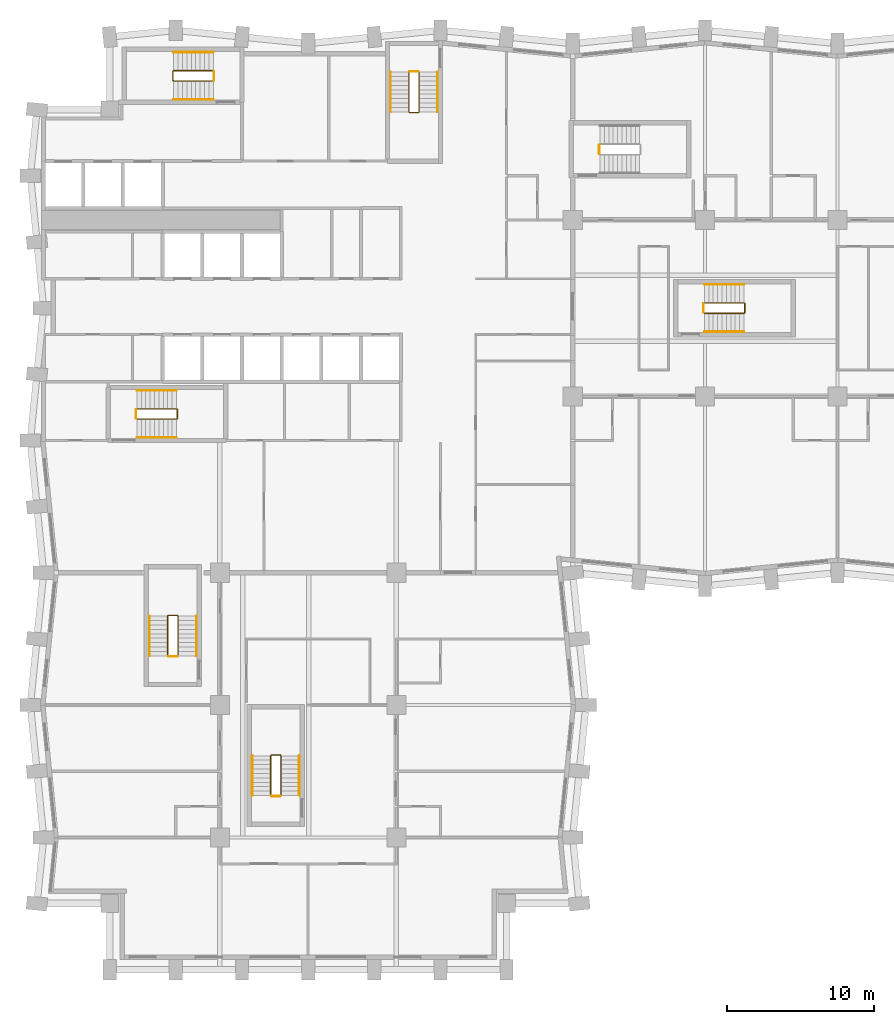
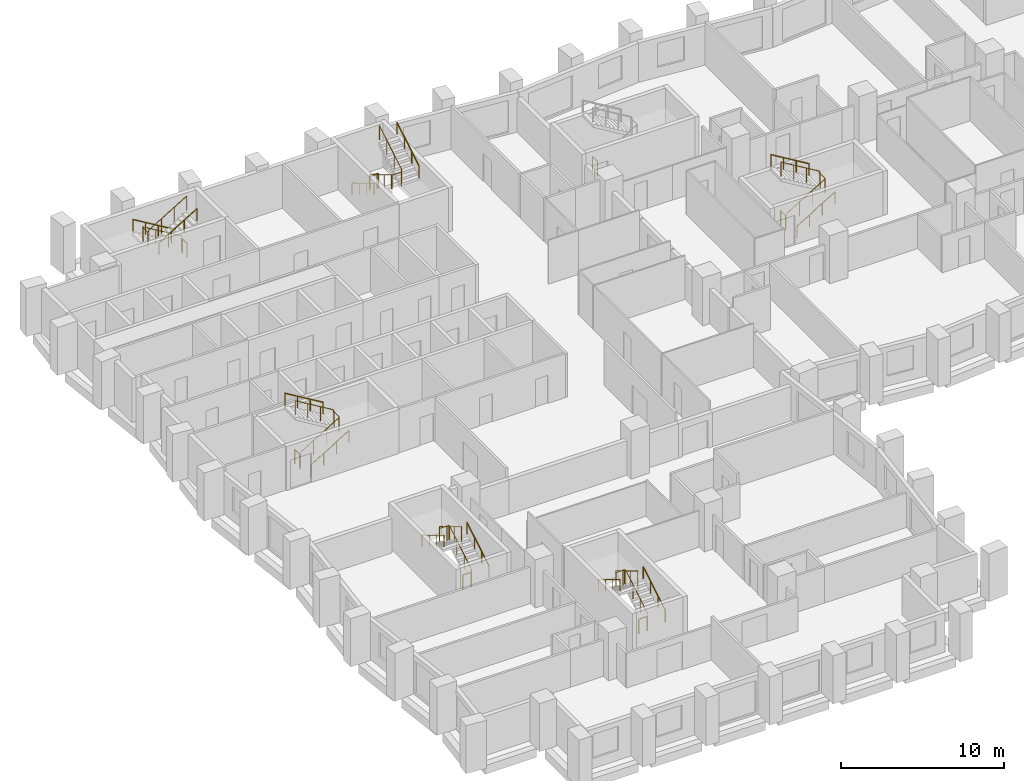
# One storey, part 11 of 12: 25 railings.
"""IFC4 building model written with IfcOpenShell, lengths in metres."""

from ifc_helpers import new_model, si_unit, direction, frame, origin, origin_2d, place, context, subcontext, project, spatial, circle, extrude, material, type_object, element, save


model = new_model("IFC4")

# Units and contexts
model_context = context("Model", 3, precision=1e-05, world=origin(), true_north=direction((0.0, 1.0)))
body_context = subcontext(model_context, "Body", "Model", "MODEL_VIEW")
ifc_project = project(units=[si_unit("LENGTHUNIT", "METRE"), si_unit("AREAUNIT", "SQUARE_METRE"), si_unit("VOLUMEUNIT", "CUBIC_METRE"), si_unit("PLANEANGLEUNIT", "RADIAN"), si_unit("MASSUNIT", "GRAM", prefix="KILO")], contexts=[model_context])

# Site, building, storey
site_placement = place(None, origin())
site = spatial("IfcSite", under=ifc_project, at=site_placement, CompositionType="ELEMENT")
building_placement = place(site_placement, origin())
building = spatial("IfcBuilding", under=site, at=building_placement, Name="Brondeck Convention Tower", CompositionType="ELEMENT")
storey_placement = place(building_placement, frame((0.0, 0.0, 66.300048828125)))
storey = spatial("IfcBuildingStorey", under=building, at=storey_placement, Name="L14", CompositionType="ELEMENT", Elevation=66.300048828125)

# Railings
ifc_material = material(Name="Steel S355", Category="steel")
railing_type_1 = type_object("IfcRailingType", Name="Stair guard 1100", PredefinedType="GUARDRAIL", material=ifc_material)
railing_1_placement = place(storey_placement, frame((6.35009765625, 37.449951171875, 0.179931640625)))
element("IfcRailing", 1, at=railing_1_placement, inside=storey, type_object=railing_type_1, Name="L14 ST-1 stair guard 1", PredefinedType="GUARDRAIL", context=body_context, shape_type="SweptSolid", body=[
    extrude(circle(Radius=0.02392578125, at=origin_2d()), frame((0.0, 0.0, 1.076171875), z_axis=(0.857472400752, 0.0, 0.514529962148), x_axis=(0.0, 1.0, 0.0)), (0.0, 0.0, 1.0), 3.148681640625),
    extrude(circle(Radius=0.02392578125, at=origin_2d()), frame((2.699951171875, 0.0, 2.6962890625), z_axis=(0.707106781187, 0.707106781187, 0.0), x_axis=(-0.707106781187, 0.707106781187, 0.0)), (0.0, 0.0, 1.0), 0.07080078125),
    extrude(circle(Radius=0.02392578125, at=origin_2d()), frame((2.75, 0.050048828125, 2.6962890625), z_axis=(0.0, 1.0, 0.0), x_axis=(-1.0, 0.0, 0.0)), (0.0, 0.0, 1.0), 0.60009765625),
    extrude(circle(Radius=0.02392578125, at=origin_2d()), frame((2.75, 0.650146484375, 2.6962890625), z_axis=(-0.258932105505, 0.257669022063, 0.930892496375), x_axis=(-0.705375805398, -0.708833529934, 0.0)), (0.0, 0.0, 1.0), 0.193359375),
    extrude(circle(Radius=0.02392578125, at=origin_2d()), frame((2.699951171875, 0.699951171875, 2.8759765625), z_axis=(-0.857506608807, 0.0, 0.514472949583), x_axis=(0.0, -1.0, 0.0)), (0.0, 0.0, 1.0), 3.148681640625),
    extrude(circle(Radius=0.02099609375, at=origin_2d()), origin(), (0.0, 0.0, 1.0), 1.052001953125),
    extrude(circle(Radius=0.02099609375, at=origin_2d()), frame((0.89990234375, 0.0, 0.5400390625)), (0.0, 0.0, 1.0), 1.052001953125),
    extrude(circle(Radius=0.02099609375, at=origin_2d()), frame((1.800048828125, 0.0, 1.080078125)), (0.0, 0.0, 1.0), 1.052001953125),
    extrude(circle(Radius=0.02099609375, at=origin_2d()), frame((2.699951171875, 0.0, 1.6201171875)), (0.0, 0.0, 1.0), 1.052001953125),
    extrude(circle(Radius=0.02099609375, at=origin_2d()), frame((2.75, 0.050048828125, 1.6201171875)), (0.0, 0.0, 1.0), 1.052001953125),
    extrude(circle(Radius=0.02099609375, at=origin_2d()), frame((2.75, 0.650146484375, 1.6201171875)), (0.0, 0.0, 1.0), 1.052001953125),
    extrude(circle(Radius=0.02099609375, at=origin_2d()), frame((2.699951171875, 0.699951171875, 1.800048828125)), (0.0, 0.0, 1.0), 1.052001953125),
    extrude(circle(Radius=0.02099609375, at=origin_2d()), frame((1.800048828125, 0.699951171875, 2.340087890625)), (0.0, 0.0, 1.0), 1.052001953125),
    extrude(circle(Radius=0.02099609375, at=origin_2d()), frame((0.89990234375, 0.699951171875, 2.8798828125)), (0.0, 0.0, 1.0), 1.052001953125),
    extrude(circle(Radius=0.02099609375, at=origin_2d()), frame((0.0, 0.699951171875, 3.419921875)), (0.0, 0.0, 1.0), 1.052001953125),
])
railing_2_placement = place(storey_placement, frame((6.300048828125, 37.5, 0.0)))
element("IfcRailing", 2, at=railing_2_placement, inside=storey, type_object=railing_type_1, Name="L14 ST-1 stair guard 2", PredefinedType="GUARDRAIL", context=body_context, shape_type="SweptSolid", body=[
    extrude(circle(Radius=0.02392578125, at=origin_2d()), frame((0.0, 0.0, 1.076171875), z_axis=(0.0, 1.0, 0.0), x_axis=(-1.0, 0.0, 0.0)), (0.0, 0.0, 1.0), 0.60009765625),
    extrude(circle(Radius=0.02099609375, at=origin_2d()), origin(), (0.0, 0.0, 1.0), 1.052001953125),
    extrude(circle(Radius=0.02099609375, at=origin_2d()), frame((0.0, 0.60009765625, 0.0)), (0.0, 0.0, 1.0), 1.052001953125),
])
railing_3_placement = place(storey_placement, frame((24.85009765625, 61.050048828125, 0.179931640625)))
element("IfcRailing", 3, at=railing_3_placement, inside=storey, type_object=railing_type_1, Name="L14 ST-2 stair guard 1", PredefinedType="GUARDRAIL", context=body_context, shape_type="SweptSolid", body=[
    extrude(circle(Radius=0.02392578125, at=origin_2d()), frame((0.0, 0.0, 1.076171875), z_axis=(0.0, -0.857472400752, 0.514529962148), x_axis=(1.0, 0.0, 0.0)), (0.0, 0.0, 1.0), 3.148681640625),
    extrude(circle(Radius=0.02392578125, at=origin_2d()), frame((0.0, -2.699951171875, 2.6962890625), z_axis=(0.705375805398, -0.708833529934, 0.0), x_axis=(0.708833529934, 0.705375805398, 0.0)), (0.0, 0.0, 1.0), 0.070556640625),
    extrude(circle(Radius=0.02392578125, at=origin_2d()), frame((0.0498046875, -2.75, 2.6962890625), z_axis=(1.0, 0.0, 0.0), x_axis=(0.0, 1.0, 0.0)), (0.0, 0.0, 1.0), 0.60009765625),
    extrude(circle(Radius=0.02392578125, at=origin_2d()), frame((0.64990234375, -2.75, 2.6962890625), z_axis=(0.258847668887, 0.258847668887, 0.930588936439), x_axis=(-0.707106781187, 0.707106781187, 0.0)), (0.0, 0.0, 1.0), 0.193359375),
    extrude(circle(Radius=0.02392578125, at=origin_2d()), frame((0.699951171875, -2.699951171875, 2.8759765625), z_axis=(0.0, 0.857506608807, 0.514472949583), x_axis=(-1.0, 0.0, 0.0)), (0.0, 0.0, 1.0), 3.148681640625),
    extrude(circle(Radius=0.02099609375, at=origin_2d()), origin(), (0.0, 0.0, 1.0), 1.052001953125),
    extrude(circle(Radius=0.02099609375, at=origin_2d()), frame((0.0, -0.89990234375, 0.5400390625)), (0.0, 0.0, 1.0), 1.052001953125),
    extrude(circle(Radius=0.02099609375, at=origin_2d()), frame((0.0, -1.800048828125, 1.080078125)), (0.0, 0.0, 1.0), 1.052001953125),
    extrude(circle(Radius=0.02099609375, at=origin_2d()), frame((0.0, -2.699951171875, 1.6201171875)), (0.0, 0.0, 1.0), 1.052001953125),
    extrude(circle(Radius=0.02099609375, at=origin_2d()), frame((0.0498046875, -2.75, 1.6201171875)), (0.0, 0.0, 1.0), 1.052001953125),
    extrude(circle(Radius=0.02099609375, at=origin_2d()), frame((0.64990234375, -2.75, 1.6201171875)), (0.0, 0.0, 1.0), 1.052001953125),
    extrude(circle(Radius=0.02099609375, at=origin_2d()), frame((0.699951171875, -2.699951171875, 1.800048828125)), (0.0, 0.0, 1.0), 1.052001953125),
    extrude(circle(Radius=0.02099609375, at=origin_2d()), frame((0.699951171875, -1.800048828125, 2.340087890625)), (0.0, 0.0, 1.0), 1.052001953125),
    extrude(circle(Radius=0.02099609375, at=origin_2d()), frame((0.699951171875, -0.89990234375, 2.8798828125)), (0.0, 0.0, 1.0), 1.052001953125),
    extrude(circle(Radius=0.02099609375, at=origin_2d()), frame((0.699951171875, 0.0, 3.419921875)), (0.0, 0.0, 1.0), 1.052001953125),
])
railing_4_placement = place(storey_placement, frame((24.89990234375, 61.10009765625, 0.0)))
element("IfcRailing", 4, at=railing_4_placement, inside=storey, type_object=railing_type_1, Name="L14 ST-2 stair guard 2", PredefinedType="GUARDRAIL", context=body_context, shape_type="SweptSolid", body=[
    extrude(circle(Radius=0.02392578125, at=origin_2d()), frame((0.0, 0.0, 1.076171875), z_axis=(1.0, 0.0, 0.0), x_axis=(0.0, 1.0, 0.0)), (0.0, 0.0, 1.0), 0.60009765625),
    extrude(circle(Radius=0.02099609375, at=origin_2d()), origin(), (0.0, 0.0, 1.0), 1.052001953125),
    extrude(circle(Radius=0.02099609375, at=origin_2d()), frame((0.60009765625, 0.0, 0.0)), (0.0, 0.0, 1.0), 1.052001953125),
])
railing_5_placement = place(storey_placement, frame((11.550048828125, 61.14990234375, 0.179931640625)))
element("IfcRailing", 5, at=railing_5_placement, inside=storey, type_object=railing_type_1, Name="L14 ST-3 stair guard 1", PredefinedType="GUARDRAIL", context=body_context, shape_type="SweptSolid", body=[
    extrude(circle(Radius=0.02392578125, at=origin_2d()), frame((0.0, 0.0, 1.076171875), z_axis=(-0.857472400752, 0.0, 0.514529962148), x_axis=(0.0, -1.0, 0.0)), (0.0, 0.0, 1.0), 3.148681640625),
    extrude(circle(Radius=0.02392578125, at=origin_2d()), frame((-2.699951171875, 0.0, 2.6962890625), z_axis=(-0.708833529934, -0.705375805398, 0.0), x_axis=(0.705375805398, -0.708833529934, 0.0)), (0.0, 0.0, 1.0), 0.070556640625),
    extrude(circle(Radius=0.02392578125, at=origin_2d()), frame((-2.75, -0.0498046875, 2.6962890625), z_axis=(0.0, -1.0, 0.0), x_axis=(1.0, 0.0, 0.0)), (0.0, 0.0, 1.0), 0.60009765625),
    extrude(circle(Radius=0.02392578125, at=origin_2d()), frame((-2.75, -0.64990234375, 2.6962890625), z_axis=(0.258847668887, -0.258847668887, 0.930588936439), x_axis=(0.707106781187, 0.707106781187, 0.0)), (0.0, 0.0, 1.0), 0.193359375),
    extrude(circle(Radius=0.02392578125, at=origin_2d()), frame((-2.699951171875, -0.699951171875, 2.8759765625), z_axis=(0.857506608807, 0.0, 0.514472949583), x_axis=(0.0, 1.0, 0.0)), (0.0, 0.0, 1.0), 3.148681640625),
    extrude(circle(Radius=0.02099609375, at=origin_2d()), origin(), (0.0, 0.0, 1.0), 1.052001953125),
    extrude(circle(Radius=0.02099609375, at=origin_2d()), frame((-0.89990234375, 0.0, 0.5400390625)), (0.0, 0.0, 1.0), 1.052001953125),
    extrude(circle(Radius=0.02099609375, at=origin_2d()), frame((-1.800048828125, 0.0, 1.080078125)), (0.0, 0.0, 1.0), 1.052001953125),
    extrude(circle(Radius=0.02099609375, at=origin_2d()), frame((-2.699951171875, 0.0, 1.6201171875)), (0.0, 0.0, 1.0), 1.052001953125),
    extrude(circle(Radius=0.02099609375, at=origin_2d()), frame((-2.75, -0.0498046875, 1.6201171875)), (0.0, 0.0, 1.0), 1.052001953125),
    extrude(circle(Radius=0.02099609375, at=origin_2d()), frame((-2.75, -0.64990234375, 1.6201171875)), (0.0, 0.0, 1.0), 1.052001953125),
    extrude(circle(Radius=0.02099609375, at=origin_2d()), frame((-2.699951171875, -0.699951171875, 1.800048828125)), (0.0, 0.0, 1.0), 1.052001953125),
    extrude(circle(Radius=0.02099609375, at=origin_2d()), frame((-1.800048828125, -0.699951171875, 2.340087890625)), (0.0, 0.0, 1.0), 1.052001953125),
    extrude(circle(Radius=0.02099609375, at=origin_2d()), frame((-0.89990234375, -0.699951171875, 2.8798828125)), (0.0, 0.0, 1.0), 1.052001953125),
    extrude(circle(Radius=0.02099609375, at=origin_2d()), frame((0.0, -0.699951171875, 3.419921875)), (0.0, 0.0, 1.0), 1.052001953125),
])
railing_6_placement = place(storey_placement, frame((11.60009765625, 61.10009765625, 0.0)))
element("IfcRailing", 6, at=railing_6_placement, inside=storey, type_object=railing_type_1, Name="L14 ST-3 stair guard 2", PredefinedType="GUARDRAIL", context=body_context, shape_type="SweptSolid", body=[
    extrude(circle(Radius=0.02392578125, at=origin_2d()), frame((0.0, 0.0, 1.076171875), z_axis=(0.0, -1.0, 0.0), x_axis=(1.0, 0.0, 0.0)), (0.0, 0.0, 1.0), 0.60009765625),
    extrude(circle(Radius=0.02099609375, at=origin_2d()), origin(), (0.0, 0.0, 1.0), 1.052001953125),
    extrude(circle(Radius=0.02099609375, at=origin_2d()), frame((0.0, -0.60009765625, 0.0)), (0.0, 0.0, 1.0), 1.052001953125),
])
railing_7_placement = place(storey_placement, frame((37.800048828125, 55.5, 0.0)))
element("IfcRailing", 7, at=railing_7_placement, inside=storey, type_object=railing_type_1, Name="L14 ST-AE stair guard 2", PredefinedType="GUARDRAIL", context=body_context, shape_type="SweptSolid", body=[
    extrude(circle(Radius=0.02392578125, at=origin_2d()), frame((0.0, 0.0, 1.076171875), z_axis=(0.0, 1.0, 0.0), x_axis=(-1.0, 0.0, 0.0)), (0.0, 0.0, 1.0), 0.60009765625),
    extrude(circle(Radius=0.02099609375, at=origin_2d()), origin(), (0.0, 0.0, 1.0), 1.052001953125),
    extrude(circle(Radius=0.02099609375, at=origin_2d()), frame((0.0, 0.60009765625, 0.0)), (0.0, 0.0, 1.0), 1.052001953125),
])
railing_8_placement = place(storey_placement, frame((9.14990234375, 21.35009765625, 0.179931640625)))
element("IfcRailing", 8, at=railing_8_placement, inside=storey, type_object=railing_type_1, Name="L14 ST-BE stair guard 1", PredefinedType="GUARDRAIL", context=body_context, shape_type="SweptSolid", body=[
    extrude(circle(Radius=0.02392578125, at=origin_2d()), frame((0.0, 0.0, 1.076171875), z_axis=(0.0, 0.857472400752, 0.514529962148), x_axis=(-1.0, 0.0, 0.0)), (0.0, 0.0, 1.0), 3.148681640625),
    extrude(circle(Radius=0.02392578125, at=origin_2d()), frame((0.0, 2.699951171875, 2.6962890625), z_axis=(-0.705375805398, 0.708833529934, 0.0), x_axis=(-0.708833529934, -0.705375805398, 0.0)), (0.0, 0.0, 1.0), 0.070556640625),
    extrude(circle(Radius=0.02392578125, at=origin_2d()), frame((-0.0498046875, 2.75, 2.6962890625), z_axis=(-1.0, 0.0, 0.0), x_axis=(0.0, -1.0, 0.0)), (0.0, 0.0, 1.0), 0.60009765625),
    extrude(circle(Radius=0.02392578125, at=origin_2d()), frame((-0.64990234375, 2.75, 2.6962890625), z_axis=(-0.258847668887, -0.258847668887, 0.930588936439), x_axis=(0.707106781187, -0.707106781187, 0.0)), (0.0, 0.0, 1.0), 0.193359375),
    extrude(circle(Radius=0.02392578125, at=origin_2d()), frame((-0.699951171875, 2.699951171875, 2.8759765625), z_axis=(0.0, -0.857506608807, 0.514472949583), x_axis=(1.0, 0.0, 0.0)), (0.0, 0.0, 1.0), 3.148681640625),
    extrude(circle(Radius=0.02099609375, at=origin_2d()), origin(), (0.0, 0.0, 1.0), 1.052001953125),
    extrude(circle(Radius=0.02099609375, at=origin_2d()), frame((0.0, 0.89990234375, 0.5400390625)), (0.0, 0.0, 1.0), 1.052001953125),
    extrude(circle(Radius=0.02099609375, at=origin_2d()), frame((0.0, 1.800048828125, 1.080078125)), (0.0, 0.0, 1.0), 1.052001953125),
    extrude(circle(Radius=0.02099609375, at=origin_2d()), frame((0.0, 2.699951171875, 1.6201171875)), (0.0, 0.0, 1.0), 1.052001953125),
    extrude(circle(Radius=0.02099609375, at=origin_2d()), frame((-0.0498046875, 2.75, 1.6201171875)), (0.0, 0.0, 1.0), 1.052001953125),
    extrude(circle(Radius=0.02099609375, at=origin_2d()), frame((-0.64990234375, 2.75, 1.6201171875)), (0.0, 0.0, 1.0), 1.052001953125),
    extrude(circle(Radius=0.02099609375, at=origin_2d()), frame((-0.699951171875, 2.699951171875, 1.800048828125)), (0.0, 0.0, 1.0), 1.052001953125),
    extrude(circle(Radius=0.02099609375, at=origin_2d()), frame((-0.699951171875, 1.800048828125, 2.340087890625)), (0.0, 0.0, 1.0), 1.052001953125),
    extrude(circle(Radius=0.02099609375, at=origin_2d()), frame((-0.699951171875, 0.89990234375, 2.8798828125)), (0.0, 0.0, 1.0), 1.052001953125),
    extrude(circle(Radius=0.02099609375, at=origin_2d()), frame((-0.699951171875, 0.0, 3.419921875)), (0.0, 0.0, 1.0), 1.052001953125),
])
railing_9_placement = place(storey_placement, frame((9.10009765625, 21.300048828125, 0.0)))
element("IfcRailing", 9, at=railing_9_placement, inside=storey, type_object=railing_type_1, Name="L14 ST-BE stair guard 2", PredefinedType="GUARDRAIL", context=body_context, shape_type="SweptSolid", body=[
    extrude(circle(Radius=0.02392578125, at=origin_2d()), frame((0.0, 0.0, 1.076171875), z_axis=(-1.0, 0.0, 0.0), x_axis=(0.0, -1.0, 0.0)), (0.0, 0.0, 1.0), 0.60009765625),
    extrude(circle(Radius=0.02099609375, at=origin_2d()), origin(), (0.0, 0.0, 1.0), 1.052001953125),
    extrude(circle(Radius=0.02099609375, at=origin_2d()), frame((-0.60009765625, 0.0, 0.0)), (0.0, 0.0, 1.0), 1.052001953125),
])
railing_10_placement = place(storey_placement, frame((44.949951171875, 44.64990234375, 0.179931640625)))
element("IfcRailing", 10, at=railing_10_placement, inside=storey, type_object=railing_type_1, Name="L14 ST-AF stair guard 1", PredefinedType="GUARDRAIL", context=body_context, shape_type="SweptSolid", body=[
    extrude(circle(Radius=0.02392578125, at=origin_2d()), frame((0.0, 0.0, 1.076171875), z_axis=(0.857472400752, 0.0, 0.514529962148), x_axis=(0.0, 1.0, 0.0)), (0.0, 0.0, 1.0), 3.148681640625),
    extrude(circle(Radius=0.02392578125, at=origin_2d()), frame((2.699951171875, 0.0, 2.6962890625), z_axis=(0.707106781187, 0.707106781187, 0.0), x_axis=(-0.707106781187, 0.707106781187, 0.0)), (0.0, 0.0, 1.0), 0.07080078125),
    extrude(circle(Radius=0.02392578125, at=origin_2d()), frame((2.75, 0.050048828125, 2.6962890625), z_axis=(0.0, 1.0, 0.0), x_axis=(-1.0, 0.0, 0.0)), (0.0, 0.0, 1.0), 0.60009765625),
    extrude(circle(Radius=0.02392578125, at=origin_2d()), frame((2.75, 0.650146484375, 2.6962890625), z_axis=(-0.258847668887, 0.258847668887, 0.930588936439), x_axis=(-0.707106781187, -0.707106781187, 0.0)), (0.0, 0.0, 1.0), 0.193359375),
    extrude(circle(Radius=0.02392578125, at=origin_2d()), frame((2.699951171875, 0.7001953125, 2.8759765625), z_axis=(-0.857506608807, 0.0, 0.514472949583), x_axis=(0.0, -1.0, 0.0)), (0.0, 0.0, 1.0), 3.148681640625),
    extrude(circle(Radius=0.02099609375, at=origin_2d()), origin(), (0.0, 0.0, 1.0), 1.052001953125),
    extrude(circle(Radius=0.02099609375, at=origin_2d()), frame((0.89990234375, 0.0, 0.5400390625)), (0.0, 0.0, 1.0), 1.052001953125),
    extrude(circle(Radius=0.02099609375, at=origin_2d()), frame((1.800048828125, 0.0, 1.080078125)), (0.0, 0.0, 1.0), 1.052001953125),
    extrude(circle(Radius=0.02099609375, at=origin_2d()), frame((2.699951171875, 0.0, 1.6201171875)), (0.0, 0.0, 1.0), 1.052001953125),
    extrude(circle(Radius=0.02099609375, at=origin_2d()), frame((2.75, 0.050048828125, 1.6201171875)), (0.0, 0.0, 1.0), 1.052001953125),
    extrude(circle(Radius=0.02099609375, at=origin_2d()), frame((2.75, 0.650146484375, 1.6201171875)), (0.0, 0.0, 1.0), 1.052001953125),
    extrude(circle(Radius=0.02099609375, at=origin_2d()), frame((2.699951171875, 0.7001953125, 1.800048828125)), (0.0, 0.0, 1.0), 1.052001953125),
    extrude(circle(Radius=0.02099609375, at=origin_2d()), frame((1.800048828125, 0.7001953125, 2.340087890625)), (0.0, 0.0, 1.0), 1.052001953125),
    extrude(circle(Radius=0.02099609375, at=origin_2d()), frame((0.89990234375, 0.7001953125, 2.8798828125)), (0.0, 0.0, 1.0), 1.052001953125),
    extrude(circle(Radius=0.02099609375, at=origin_2d()), frame((0.0, 0.7001953125, 3.419921875)), (0.0, 0.0, 1.0), 1.052001953125),
])
railing_11_placement = place(storey_placement, frame((44.89990234375, 44.699951171875, 0.0)))
element("IfcRailing", 11, at=railing_11_placement, inside=storey, type_object=railing_type_1, Name="L14 ST-AF stair guard 2", PredefinedType="GUARDRAIL", context=body_context, shape_type="SweptSolid", body=[
    extrude(circle(Radius=0.02392578125, at=origin_2d()), frame((0.0, 0.0, 1.076171875), z_axis=(0.0, 1.0, 0.0), x_axis=(-1.0, 0.0, 0.0)), (0.0, 0.0, 1.0), 0.60009765625),
    extrude(circle(Radius=0.02099609375, at=origin_2d()), origin(), (0.0, 0.0, 1.0), 1.052001953125),
    extrude(circle(Radius=0.02099609375, at=origin_2d()), frame((0.0, 0.60009765625, 0.0)), (0.0, 0.0, 1.0), 1.052001953125),
])
railing_12_placement = place(storey_placement, frame((16.14990234375, 11.85009765625, 0.179931640625)))
element("IfcRailing", 12, at=railing_12_placement, inside=storey, type_object=railing_type_1, Name="L14 ST-BF stair guard 1", PredefinedType="GUARDRAIL", context=body_context, shape_type="SweptSolid", body=[
    extrude(circle(Radius=0.02392578125, at=origin_2d()), frame((0.0, 0.0, 1.076171875), z_axis=(0.0, 0.857472400752, 0.514529962148), x_axis=(-1.0, 0.0, 0.0)), (0.0, 0.0, 1.0), 3.148681640625),
    extrude(circle(Radius=0.02392578125, at=origin_2d()), frame((0.0, 2.699951171875, 2.6962890625), z_axis=(-0.705375805398, 0.708833529934, 0.0), x_axis=(-0.708833529934, -0.705375805398, 0.0)), (0.0, 0.0, 1.0), 0.070556640625),
    extrude(circle(Radius=0.02392578125, at=origin_2d()), frame((-0.0498046875, 2.75, 2.6962890625), z_axis=(-1.0, 0.0, 0.0), x_axis=(0.0, -1.0, 0.0)), (0.0, 0.0, 1.0), 0.60009765625),
    extrude(circle(Radius=0.02392578125, at=origin_2d()), frame((-0.64990234375, 2.75, 2.6962890625), z_axis=(-0.258847668887, -0.258847668887, 0.930588936439), x_axis=(0.707106781187, -0.707106781187, 0.0)), (0.0, 0.0, 1.0), 0.193359375),
    extrude(circle(Radius=0.02392578125, at=origin_2d()), frame((-0.699951171875, 2.699951171875, 2.8759765625), z_axis=(0.0, -0.857506608807, 0.514472949583), x_axis=(1.0, 0.0, 0.0)), (0.0, 0.0, 1.0), 3.148681640625),
    extrude(circle(Radius=0.02099609375, at=origin_2d()), origin(), (0.0, 0.0, 1.0), 1.052001953125),
    extrude(circle(Radius=0.02099609375, at=origin_2d()), frame((0.0, 0.89990234375, 0.5400390625)), (0.0, 0.0, 1.0), 1.052001953125),
    extrude(circle(Radius=0.02099609375, at=origin_2d()), frame((0.0, 1.800048828125, 1.080078125)), (0.0, 0.0, 1.0), 1.052001953125),
    extrude(circle(Radius=0.02099609375, at=origin_2d()), frame((0.0, 2.699951171875, 1.6201171875)), (0.0, 0.0, 1.0), 1.052001953125),
    extrude(circle(Radius=0.02099609375, at=origin_2d()), frame((-0.0498046875, 2.75, 1.6201171875)), (0.0, 0.0, 1.0), 1.052001953125),
    extrude(circle(Radius=0.02099609375, at=origin_2d()), frame((-0.64990234375, 2.75, 1.6201171875)), (0.0, 0.0, 1.0), 1.052001953125),
    extrude(circle(Radius=0.02099609375, at=origin_2d()), frame((-0.699951171875, 2.699951171875, 1.800048828125)), (0.0, 0.0, 1.0), 1.052001953125),
    extrude(circle(Radius=0.02099609375, at=origin_2d()), frame((-0.699951171875, 1.800048828125, 2.340087890625)), (0.0, 0.0, 1.0), 1.052001953125),
    extrude(circle(Radius=0.02099609375, at=origin_2d()), frame((-0.699951171875, 0.89990234375, 2.8798828125)), (0.0, 0.0, 1.0), 1.052001953125),
    extrude(circle(Radius=0.02099609375, at=origin_2d()), frame((-0.699951171875, 0.0, 3.419921875)), (0.0, 0.0, 1.0), 1.052001953125),
])
railing_13_placement = place(storey_placement, frame((16.10009765625, 11.800048828125, 0.0)))
element("IfcRailing", 13, at=railing_13_placement, inside=storey, type_object=railing_type_1, Name="L14 ST-BF stair guard 2", PredefinedType="GUARDRAIL", context=body_context, shape_type="SweptSolid", body=[
    extrude(circle(Radius=0.02392578125, at=origin_2d()), frame((0.0, 0.0, 1.076171875), z_axis=(-1.0, 0.0, 0.0), x_axis=(0.0, -1.0, 0.0)), (0.0, 0.0, 1.0), 0.60009765625),
    extrude(circle(Radius=0.02099609375, at=origin_2d()), origin(), (0.0, 0.0, 1.0), 1.052001953125),
    extrude(circle(Radius=0.02099609375, at=origin_2d()), frame((-0.60009765625, 0.0, 0.0)), (0.0, 0.0, 1.0), 1.052001953125),
])
railing_type_2 = type_object("IfcRailingType", Name="Stair handrail", PredefinedType="HANDRAIL", material=ifc_material)
railing_14_placement = place(storey_placement, frame((6.35009765625, 36.199951171875, 0.179931640625)))
element("IfcRailing", 14, at=railing_14_placement, inside=storey, type_object=railing_type_2, Name="L14 ST-1 stair handrail 1", PredefinedType="HANDRAIL", context=body_context, shape_type="SweptSolid", body=[
    extrude(circle(Radius=0.02392578125, at=origin_2d()), frame((0.0, 0.0, 0.8759765625), z_axis=(0.857472400752, 0.0, 0.514529962148), x_axis=(0.0, 1.0, 0.0)), (0.0, 0.0, 1.0), 3.148681640625),
    extrude(circle(Radius=0.02099609375, at=origin_2d()), origin(), (0.0, 0.0, 1.0), 0.851806640625),
    extrude(circle(Radius=0.02099609375, at=origin_2d()), frame((0.89990234375, 0.0, 0.5400390625)), (0.0, 0.0, 1.0), 0.851806640625),
    extrude(circle(Radius=0.02099609375, at=origin_2d()), frame((1.800048828125, 0.0, 1.080078125)), (0.0, 0.0, 1.0), 0.851806640625),
    extrude(circle(Radius=0.02099609375, at=origin_2d()), frame((2.699951171875, 0.0, 1.6201171875)), (0.0, 0.0, 1.0), 0.851806640625),
])
railing_15_placement = place(storey_placement, frame((9.050048828125, 39.39990234375, 1.97998046875)))
element("IfcRailing", 15, at=railing_15_placement, inside=storey, type_object=railing_type_2, Name="L14 ST-1 stair handrail 2", PredefinedType="HANDRAIL", context=body_context, shape_type="SweptSolid", body=[
    extrude(circle(Radius=0.02392578125, at=origin_2d()), frame((0.0, 0.0, 0.8759765625), z_axis=(-0.857506608807, 0.0, 0.514472949583), x_axis=(0.0, -1.0, 0.0)), (0.0, 0.0, 1.0), 3.148681640625),
    extrude(circle(Radius=0.02099609375, at=origin_2d()), origin(), (0.0, 0.0, 1.0), 0.851806640625),
    extrude(circle(Radius=0.02099609375, at=origin_2d()), frame((-0.89990234375, 0.0, 0.5400390625)), (0.0, 0.0, 1.0), 0.851806640625),
    extrude(circle(Radius=0.02099609375, at=origin_2d()), frame((-1.800048828125, 0.0, 1.079833984375)), (0.0, 0.0, 1.0), 0.851806640625),
    extrude(circle(Radius=0.02099609375, at=origin_2d()), frame((-2.699951171875, 0.0, 1.619873046875)), (0.0, 0.0, 1.0), 0.851806640625),
])
railing_16_placement = place(storey_placement, frame((23.60009765625, 61.050048828125, 0.179931640625)))
element("IfcRailing", 16, at=railing_16_placement, inside=storey, type_object=railing_type_2, Name="L14 ST-2 stair handrail 1", PredefinedType="HANDRAIL", context=body_context, shape_type="SweptSolid", body=[
    extrude(circle(Radius=0.02392578125, at=origin_2d()), frame((0.0, 0.0, 0.8759765625), z_axis=(0.0, -0.857472400752, 0.514529962148), x_axis=(1.0, 0.0, 0.0)), (0.0, 0.0, 1.0), 3.148681640625),
    extrude(circle(Radius=0.02099609375, at=origin_2d()), origin(), (0.0, 0.0, 1.0), 0.851806640625),
    extrude(circle(Radius=0.02099609375, at=origin_2d()), frame((0.0, -0.89990234375, 0.5400390625)), (0.0, 0.0, 1.0), 0.851806640625),
    extrude(circle(Radius=0.02099609375, at=origin_2d()), frame((0.0, -1.800048828125, 1.080078125)), (0.0, 0.0, 1.0), 0.851806640625),
    extrude(circle(Radius=0.02099609375, at=origin_2d()), frame((0.0, -2.699951171875, 1.6201171875)), (0.0, 0.0, 1.0), 0.851806640625),
])
railing_17_placement = place(storey_placement, frame((26.800048828125, 58.35009765625, 1.97998046875)))
element("IfcRailing", 17, at=railing_17_placement, inside=storey, type_object=railing_type_2, Name="L14 ST-2 stair handrail 2", PredefinedType="HANDRAIL", context=body_context, shape_type="SweptSolid", body=[
    extrude(circle(Radius=0.02392578125, at=origin_2d()), frame((0.0, 0.0, 0.8759765625), z_axis=(0.0, 0.857506608807, 0.514472949583), x_axis=(-1.0, 0.0, 0.0)), (0.0, 0.0, 1.0), 3.148681640625),
    extrude(circle(Radius=0.02099609375, at=origin_2d()), origin(), (0.0, 0.0, 1.0), 0.851806640625),
    extrude(circle(Radius=0.02099609375, at=origin_2d()), frame((0.0, 0.89990234375, 0.5400390625)), (0.0, 0.0, 1.0), 0.851806640625),
    extrude(circle(Radius=0.02099609375, at=origin_2d()), frame((0.0, 1.800048828125, 1.079833984375)), (0.0, 0.0, 1.0), 0.851806640625),
    extrude(circle(Radius=0.02099609375, at=origin_2d()), frame((0.0, 2.699951171875, 1.619873046875)), (0.0, 0.0, 1.0), 0.851806640625),
])
railing_18_placement = place(storey_placement, frame((11.550048828125, 62.39990234375, 0.179931640625)))
element("IfcRailing", 18, at=railing_18_placement, inside=storey, type_object=railing_type_2, Name="L14 ST-3 stair handrail 1", PredefinedType="HANDRAIL", context=body_context, shape_type="SweptSolid", body=[
    extrude(circle(Radius=0.02392578125, at=origin_2d()), frame((0.0, 0.0, 0.8759765625), z_axis=(-0.857472400752, 0.0, 0.514529962148), x_axis=(0.0, -1.0, 0.0)), (0.0, 0.0, 1.0), 3.148681640625),
    extrude(circle(Radius=0.02099609375, at=origin_2d()), origin(), (0.0, 0.0, 1.0), 0.851806640625),
    extrude(circle(Radius=0.02099609375, at=origin_2d()), frame((-0.89990234375, 0.0, 0.5400390625)), (0.0, 0.0, 1.0), 0.851806640625),
    extrude(circle(Radius=0.02099609375, at=origin_2d()), frame((-1.800048828125, 0.0, 1.080078125)), (0.0, 0.0, 1.0), 0.851806640625),
    extrude(circle(Radius=0.02099609375, at=origin_2d()), frame((-2.699951171875, 0.0, 1.6201171875)), (0.0, 0.0, 1.0), 0.851806640625),
])
railing_19_placement = place(storey_placement, frame((8.85009765625, 59.199951171875, 1.97998046875)))
element("IfcRailing", 19, at=railing_19_placement, inside=storey, type_object=railing_type_2, Name="L14 ST-3 stair handrail 2", PredefinedType="HANDRAIL", context=body_context, shape_type="SweptSolid", body=[
    extrude(circle(Radius=0.02392578125, at=origin_2d()), frame((0.0, 0.0, 0.8759765625), z_axis=(0.857506608807, 0.0, 0.514472949583), x_axis=(0.0, 1.0, 0.0)), (0.0, 0.0, 1.0), 3.148681640625),
    extrude(circle(Radius=0.02099609375, at=origin_2d()), origin(), (0.0, 0.0, 1.0), 0.851806640625),
    extrude(circle(Radius=0.02099609375, at=origin_2d()), frame((0.89990234375, 0.0, 0.5400390625)), (0.0, 0.0, 1.0), 0.851806640625),
    extrude(circle(Radius=0.02099609375, at=origin_2d()), frame((1.800048828125, 0.0, 1.079833984375)), (0.0, 0.0, 1.0), 0.851806640625),
    extrude(circle(Radius=0.02099609375, at=origin_2d()), frame((2.699951171875, 0.0, 1.619873046875)), (0.0, 0.0, 1.0), 0.851806640625),
])
railing_20_placement = place(storey_placement, frame((10.39990234375, 21.35009765625, 0.179931640625)))
element("IfcRailing", 20, at=railing_20_placement, inside=storey, type_object=railing_type_2, Name="L14 ST-BE stair handrail 1", PredefinedType="HANDRAIL", context=body_context, shape_type="SweptSolid", body=[
    extrude(circle(Radius=0.02392578125, at=origin_2d()), frame((0.0, 0.0, 0.8759765625), z_axis=(0.0, 0.857472400752, 0.514529962148), x_axis=(-1.0, 0.0, 0.0)), (0.0, 0.0, 1.0), 3.148681640625),
    extrude(circle(Radius=0.02099609375, at=origin_2d()), origin(), (0.0, 0.0, 1.0), 0.851806640625),
    extrude(circle(Radius=0.02099609375, at=origin_2d()), frame((0.0, 0.89990234375, 0.5400390625)), (0.0, 0.0, 1.0), 0.851806640625),
    extrude(circle(Radius=0.02099609375, at=origin_2d()), frame((0.0, 1.800048828125, 1.080078125)), (0.0, 0.0, 1.0), 0.851806640625),
    extrude(circle(Radius=0.02099609375, at=origin_2d()), frame((0.0, 2.699951171875, 1.6201171875)), (0.0, 0.0, 1.0), 0.851806640625),
])
railing_21_placement = place(storey_placement, frame((7.199951171875, 24.050048828125, 1.97998046875)))
element("IfcRailing", 21, at=railing_21_placement, inside=storey, type_object=railing_type_2, Name="L14 ST-BE stair handrail 2", PredefinedType="HANDRAIL", context=body_context, shape_type="SweptSolid", body=[
    extrude(circle(Radius=0.02392578125, at=origin_2d()), frame((0.0, 0.0, 0.8759765625), z_axis=(0.0, -0.857506608807, 0.514472949583), x_axis=(1.0, 0.0, 0.0)), (0.0, 0.0, 1.0), 3.148681640625),
    extrude(circle(Radius=0.02099609375, at=origin_2d()), origin(), (0.0, 0.0, 1.0), 0.851806640625),
    extrude(circle(Radius=0.02099609375, at=origin_2d()), frame((0.0, -0.89990234375, 0.5400390625)), (0.0, 0.0, 1.0), 0.851806640625),
    extrude(circle(Radius=0.02099609375, at=origin_2d()), frame((0.0, -1.800048828125, 1.079833984375)), (0.0, 0.0, 1.0), 0.851806640625),
    extrude(circle(Radius=0.02099609375, at=origin_2d()), frame((0.0, -2.699951171875, 1.619873046875)), (0.0, 0.0, 1.0), 0.851806640625),
])
railing_22_placement = place(storey_placement, frame((44.949951171875, 43.39990234375, 0.179931640625)))
element("IfcRailing", 22, at=railing_22_placement, inside=storey, type_object=railing_type_2, Name="L14 ST-AF stair handrail 1", PredefinedType="HANDRAIL", context=body_context, shape_type="SweptSolid", body=[
    extrude(circle(Radius=0.02392578125, at=origin_2d()), frame((0.0, 0.0, 0.8759765625), z_axis=(0.857472400752, 0.0, 0.514529962148), x_axis=(0.0, 1.0, 0.0)), (0.0, 0.0, 1.0), 3.148681640625),
    extrude(circle(Radius=0.02099609375, at=origin_2d()), origin(), (0.0, 0.0, 1.0), 0.851806640625),
    extrude(circle(Radius=0.02099609375, at=origin_2d()), frame((0.89990234375, 0.0, 0.5400390625)), (0.0, 0.0, 1.0), 0.851806640625),
    extrude(circle(Radius=0.02099609375, at=origin_2d()), frame((1.800048828125, 0.0, 1.080078125)), (0.0, 0.0, 1.0), 0.851806640625),
    extrude(circle(Radius=0.02099609375, at=origin_2d()), frame((2.699951171875, 0.0, 1.6201171875)), (0.0, 0.0, 1.0), 0.851806640625),
])
railing_23_placement = place(storey_placement, frame((47.64990234375, 46.60009765625, 1.97998046875)))
element("IfcRailing", 23, at=railing_23_placement, inside=storey, type_object=railing_type_2, Name="L14 ST-AF stair handrail 2", PredefinedType="HANDRAIL", context=body_context, shape_type="SweptSolid", body=[
    extrude(circle(Radius=0.02392578125, at=origin_2d()), frame((0.0, 0.0, 0.8759765625), z_axis=(-0.857506608807, 0.0, 0.514472949583), x_axis=(0.0, -1.0, 0.0)), (0.0, 0.0, 1.0), 3.148681640625),
    extrude(circle(Radius=0.02099609375, at=origin_2d()), origin(), (0.0, 0.0, 1.0), 0.851806640625),
    extrude(circle(Radius=0.02099609375, at=origin_2d()), frame((-0.89990234375, 0.0, 0.5400390625)), (0.0, 0.0, 1.0), 0.851806640625),
    extrude(circle(Radius=0.02099609375, at=origin_2d()), frame((-1.800048828125, 0.0, 1.079833984375)), (0.0, 0.0, 1.0), 0.851806640625),
    extrude(circle(Radius=0.02099609375, at=origin_2d()), frame((-2.699951171875, 0.0, 1.619873046875)), (0.0, 0.0, 1.0), 0.851806640625),
])
railing_24_placement = place(storey_placement, frame((17.39990234375, 11.85009765625, 0.179931640625)))
element("IfcRailing", 24, at=railing_24_placement, inside=storey, type_object=railing_type_2, Name="L14 ST-BF stair handrail 1", PredefinedType="HANDRAIL", context=body_context, shape_type="SweptSolid", body=[
    extrude(circle(Radius=0.02392578125, at=origin_2d()), frame((0.0, 0.0, 0.8759765625), z_axis=(0.0, 0.857472400752, 0.514529962148), x_axis=(-1.0, 0.0, 0.0)), (0.0, 0.0, 1.0), 3.148681640625),
    extrude(circle(Radius=0.02099609375, at=origin_2d()), origin(), (0.0, 0.0, 1.0), 0.851806640625),
    extrude(circle(Radius=0.02099609375, at=origin_2d()), frame((0.0, 0.89990234375, 0.5400390625)), (0.0, 0.0, 1.0), 0.851806640625),
    extrude(circle(Radius=0.02099609375, at=origin_2d()), frame((0.0, 1.800048828125, 1.080078125)), (0.0, 0.0, 1.0), 0.851806640625),
    extrude(circle(Radius=0.02099609375, at=origin_2d()), frame((0.0, 2.699951171875, 1.6201171875)), (0.0, 0.0, 1.0), 0.851806640625),
])
railing_25_placement = place(storey_placement, frame((14.199951171875, 14.550048828125, 1.97998046875)))
element("IfcRailing", 25, at=railing_25_placement, inside=storey, type_object=railing_type_2, Name="L14 ST-BF stair handrail 2", PredefinedType="HANDRAIL", context=body_context, shape_type="SweptSolid", body=[
    extrude(circle(Radius=0.02392578125, at=origin_2d()), frame((0.0, 0.0, 0.8759765625), z_axis=(0.0, -0.857506608807, 0.514472949583), x_axis=(1.0, 0.0, 0.0)), (0.0, 0.0, 1.0), 3.148681640625),
    extrude(circle(Radius=0.02099609375, at=origin_2d()), origin(), (0.0, 0.0, 1.0), 0.851806640625),
    extrude(circle(Radius=0.02099609375, at=origin_2d()), frame((0.0, -0.89990234375, 0.5400390625)), (0.0, 0.0, 1.0), 0.851806640625),
    extrude(circle(Radius=0.02099609375, at=origin_2d()), frame((0.0, -1.800048828125, 1.079833984375)), (0.0, 0.0, 1.0), 0.851806640625),
    extrude(circle(Radius=0.02099609375, at=origin_2d()), frame((0.0, -2.699951171875, 1.619873046875)), (0.0, 0.0, 1.0), 0.851806640625),
])

save(model, "model.ifc")
